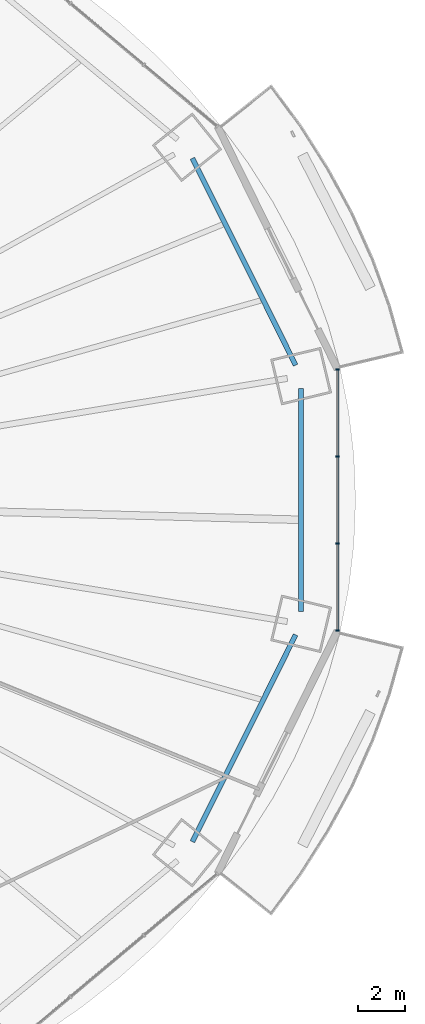
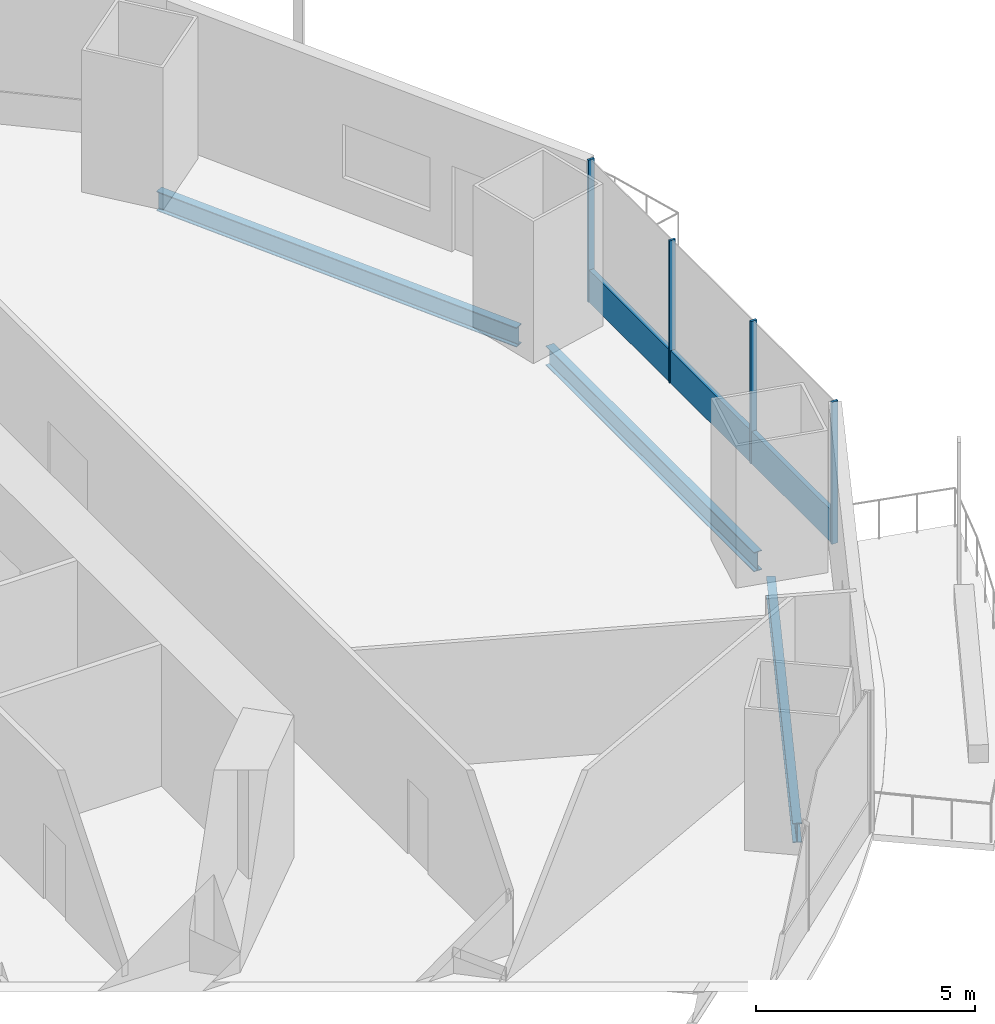
# One storey, part 11 of 22: 5 members, 3 beams, 1 element without a shape of its own.
"""IFC4 building model written with IfcOpenShell, lengths in metres."""

from ifc_helpers import new_model, si_unit, direction, frame, origin, origin_2d, place, context, subcontext, project, spatial, rectangle, i_section, extrude, material, material_profile, profile_set, type_object, element, aggregate, save


model = new_model("IFC4")

# Units and contexts
model_context = context("Model", 3, precision=1e-05, world=origin(), true_north=direction((0.0, 1.0)))
body_context = subcontext(model_context, "Body", "Model", "MODEL_VIEW")
ifc_project = project(units=[si_unit("LENGTHUNIT", "METRE"), si_unit("AREAUNIT", "SQUARE_METRE"), si_unit("VOLUMEUNIT", "CUBIC_METRE"), si_unit("PLANEANGLEUNIT", "RADIAN"), si_unit("MASSUNIT", "GRAM", prefix="KILO")], contexts=[model_context])

# Site, building, storey
site_placement = place(None, origin())
site = spatial("IfcSite", under=ifc_project, at=site_placement, CompositionType="ELEMENT")
building_placement = place(site_placement, origin())
building = spatial("IfcBuilding", under=site, at=building_placement, Name="Marenthal Gate Tower", CompositionType="ELEMENT")
storey_placement = place(building_placement, frame((0.0, 0.0, 116.0)))
storey = spatial("IfcBuildingStorey", under=building, at=storey_placement, Name="L24", CompositionType="ELEMENT", Elevation=116.0)

# Curtain wall, members
ifc_material_1 = material(Name="Aluminium and glass", Category="aluminium")
curtain_wall_type = type_object("IfcCurtainWallType", Name="Curtain wall typical low", PredefinedType="NOTDEFINED", material=ifc_material_1)
curtain_wall_placement = place(storey_placement, origin())
curtain_wall = element("IfcCurtainWall", 1, at=curtain_wall_placement, inside=storey, type_object=curtain_wall_type, Name="Curtain wall L24 bay 16", PredefinedType="NOTDEFINED")
ifc_material_2 = material(Name="Aluminium", Category="aluminium")
ifc_material_profile_1 = material_profile(ifc_material_2, rectangle(XDim=0.159912109375, YDim=0.06005859375, at=origin_2d()), Name="60x160 aluminium mullion")
ifc_profile_set_1 = profile_set([ifc_material_profile_1], Name="Aluminium")
member_type_1 = type_object("IfcMemberType", Name="Mullion 60x160 typical low", PredefinedType="MULLION", material=ifc_profile_set_1)
member_1_placement = place(storey_placement, frame((33.568359375, -5.56689453125, 0.0), z_axis=(0.0, 0.0, 1.0), x_axis=(-1.0, 0.0, 0.0)))
member_1 = element("IfcMember", 2, at=member_1_placement, type_object=member_type_1, Name="Mullion L24 bay 16.1", PredefinedType="MULLION", context=body_context, shape_type="SweptSolid", body=[
    extrude(rectangle(XDim=0.159912109375, YDim=0.06005859375, at=origin_2d()), origin(), (0.0, 0.0, 1.0), 3.969970703125),
])
member_2_placement = place(storey_placement, frame((33.568359375, -1.855712890625, 0.0), z_axis=(0.0, 0.0, 1.0), x_axis=(-1.0, 0.0, 0.0)))
member_2 = element("IfcMember", 3, at=member_2_placement, type_object=member_type_1, Name="Mullion L24 bay 16.2", PredefinedType="MULLION", context=body_context, shape_type="SweptSolid", body=[
    extrude(rectangle(XDim=0.159912109375, YDim=0.06005859375, at=origin_2d()), origin(), (0.0, 0.0, 1.0), 3.969970703125),
])
member_3_placement = place(storey_placement, frame((33.568359375, 1.855712890625, 0.0), z_axis=(0.0, 0.0, 1.0), x_axis=(-1.0, 0.0, 0.0)))
member_3 = element("IfcMember", 4, at=member_3_placement, type_object=member_type_1, Name="Mullion L24 bay 16.3", PredefinedType="MULLION", context=body_context, shape_type="SweptSolid", body=[
    extrude(rectangle(XDim=0.159912109375, YDim=0.06005859375, at=origin_2d()), origin(), (0.0, 0.0, 1.0), 3.969970703125),
])
member_4_placement = place(storey_placement, frame((33.568359375, 5.56689453125, 0.0), z_axis=(0.0, 0.0, 1.0), x_axis=(-1.0, 0.0, 0.0)))
member_4 = element("IfcMember", 5, at=member_4_placement, type_object=member_type_1, Name="Mullion L24 bay 16.4", PredefinedType="MULLION", context=body_context, shape_type="SweptSolid", body=[
    extrude(rectangle(XDim=0.159912109375, YDim=0.06005859375, at=origin_2d()), origin(), (0.0, 0.0, 1.0), 3.969970703125),
])
ifc_material_3 = material(Name="Aluminium", Category="aluminium")
ifc_material_profile_2 = material_profile(ifc_material_3, rectangle(XDim=0.1201171875, YDim=0.89990234375, at=origin_2d()), Name="120x900 aluminium transom")
ifc_profile_set_2 = profile_set([ifc_material_profile_2], Name="Aluminium")
member_type_2 = type_object("IfcMemberType", Name="Transom 120x900 typical low", PredefinedType="USERDEFINED", material=ifc_profile_set_2)
member_5_placement = place(storey_placement, frame((33.568359375, -5.536865234375, 0.449951171875), z_axis=(0.0, 1.0, 0.0), x_axis=(-1.0, 0.0, 0.0)))
member_5 = element("IfcMember", 6, at=member_5_placement, type_object=member_type_2, Name="Transom L24 bay 16", ObjectType="TRANSOM", PredefinedType="USERDEFINED", context=body_context, shape_type="SweptSolid", body=[
    extrude(rectangle(XDim=0.1201171875, YDim=0.89990234375, at=origin_2d()), origin(), (0.0, 0.0, 1.0), 11.07373046875),
])
aggregate(curtain_wall, [member_1, member_2, member_3, member_4, member_5])

# Beams
ifc_material_4 = material(Name="Steel S355", Category="steel")
ifc_material_profile_3 = material_profile(ifc_material_4, i_section(OverallWidth=0.2119140625, OverallDepth=0.5439453125, WebThickness=0.01318359375, FlangeThickness=0.021240234375, FilletRadius=0.0126953125, at=origin_2d()), Name="W530X123")
ifc_profile_set_3 = profile_set([ifc_material_profile_3], Name="Steel S355")
beam_type = type_object("IfcBeamType", Name="W530X123 beam", PredefinedType="BEAM", material=ifc_profile_set_3)
for number, where, z_axis, x_axis, name in (
    (7, (31.78369140625, 5.759521484375, -0.451904296875), (-0.446372399163, 0.894847294942, 0.0), (-0.894847294942, -0.446372399163, 0.0), "BM-L24-41"),
    (8, (27.3779296875, -14.591796875, -0.451904296875), (0.446372399163, 0.894847294942, 0.0), (-0.894847294942, 0.446372399163, 0.0), "BM-L24-55"),
):
    element("IfcBeam", number, at=place(storey_placement, frame(where, z_axis=z_axis, x_axis=x_axis)), inside=storey, type_object=beam_type, Name=name, PredefinedType="BEAM", context=body_context, shape_type="SweptSolid", body=[
        extrude(i_section(OverallWidth=0.2119140625, OverallDepth=0.5439453125, WebThickness=0.01318359375, FlangeThickness=0.021240234375, FilletRadius=0.0126953125, at=origin_2d()), origin(), (0.0, 0.0, 1.0), 9.8701171875),
    ])
beam_placement = place(storey_placement, frame((32.018798828125, -4.76025390625, -0.451904296875), z_axis=(0.0, 1.0, 0.0), x_axis=(-1.0, 0.0, 0.0)))
element("IfcBeam", 9, at=beam_placement, inside=storey, type_object=beam_type, Name="BM-L24-56", PredefinedType="BEAM", context=body_context, shape_type="SweptSolid", body=[
    extrude(i_section(OverallWidth=0.2119140625, OverallDepth=0.5439453125, WebThickness=0.01318359375, FlangeThickness=0.021240234375, FilletRadius=0.0126953125, at=origin_2d()), origin(), (0.0, 0.0, 1.0), 9.5205078125),
])

save(model, "model.ifc")
